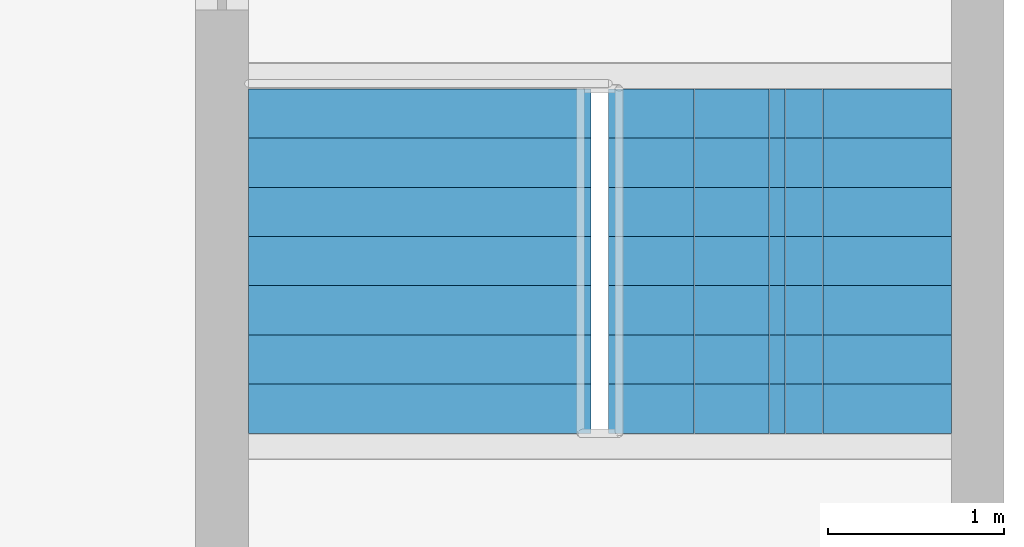
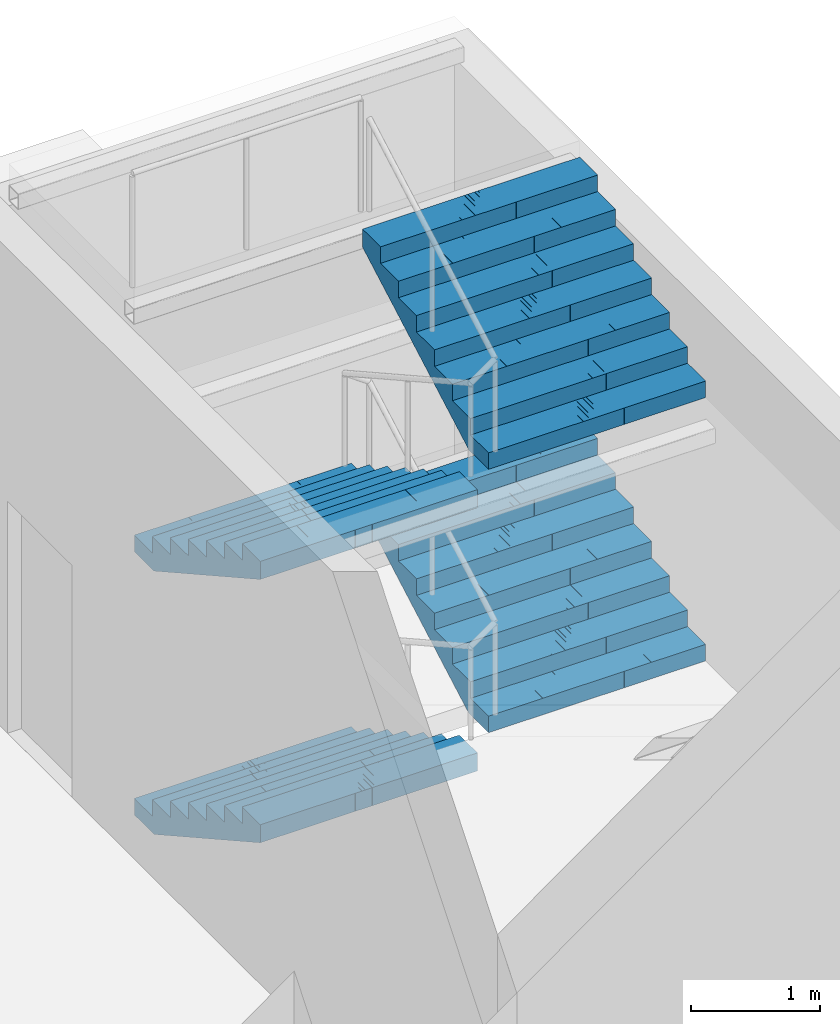
# One storey, part 15 of 20: 4 stair flights, 1 element without a shape of its own.
"""IFC4 building model written with IfcOpenShell, lengths in metres."""

from ifc_helpers import new_model, si_unit, direction, frame, origin, place, context, subcontext, project, spatial, polyline, outline, extrude, material, type_object, element, aggregate, save


model = new_model("IFC4")

# Units and contexts
model_context = context("Model", 3, precision=1e-05, world=origin(), true_north=direction((0.0, 1.0)))
body_context = subcontext(model_context, "Body", "Model", "MODEL_VIEW")
ifc_project = project(units=[si_unit("LENGTHUNIT", "METRE"), si_unit("AREAUNIT", "SQUARE_METRE"), si_unit("VOLUMEUNIT", "CUBIC_METRE"), si_unit("PLANEANGLEUNIT", "RADIAN"), si_unit("MASSUNIT", "GRAM", prefix="KILO")], contexts=[model_context])

# Site, building, storey
site_placement = place(None, origin())
site = spatial("IfcSite", under=ifc_project, at=site_placement, CompositionType="ELEMENT")
building_placement = place(site_placement, origin())
building = spatial("IfcBuilding", under=site, at=building_placement, Name="Mizan Broadcast Tower", CompositionType="ELEMENT")
storey_placement = place(building_placement, frame((0.0, 0.0, -5.0)))
storey = spatial("IfcBuildingStorey", under=building, at=storey_placement, Name="B1", CompositionType="ELEMENT", Elevation=-5.0)

# Stair, stair flights
ifc_material_1 = material(Name="Concrete C40/50", Category="concrete")
stair_type = type_object("IfcStairType", Name="EXIT STAIR", PredefinedType="HALF_TURN_STAIR", material=ifc_material_1)
stair_placement = place(storey_placement, origin())
stair = element("IfcStair", 1, at=stair_placement, inside=storey, type_object=stair_type, Name="Stair E B1", PredefinedType="HALF_TURN_STAIR")
ifc_material_2 = material(Name="Concrete C40/50", Category="concrete")
stair_flight_type = type_object("IfcStairFlightType", Name="EXIT STAIR FLIGHT", PredefinedType="STRAIGHT", material=ifc_material_2)
stair_flight_1_placement = place(storey_placement, frame((44.875, 39.949951171875, 0.0), z_axis=(0.0, 0.0, 1.0), x_axis=(0.0, -1.0, 0.0)))
stair_flight_1 = element("IfcStairFlight", 2, at=stair_flight_1_placement, type_object=stair_flight_type, Name="E flight 1", NumberOfRisers=8, NumberOfTreads=7, PredefinedType="STRAIGHT", RiserHeight=0.15625, TreadLength=0.28, context=body_context, shape_type="SweptSolid", body=[
    extrude(outline(polyline([(0.0, 0.0), (0.0, 0.15625), (0.280029296875, 0.15625), (0.280029296875, 0.3125), (0.56005859375, 0.3125), (0.56005859375, 0.46875), (0.840087890625, 0.46875), (0.840087890625, 0.625), (1.1201171875, 0.625), (1.1201171875, 0.78125), (1.39990234375, 0.78125), (1.39990234375, 0.9375), (1.679931640625, 0.9375), (1.679931640625, 1.09375), (1.9599609375, 1.09375), (1.9599609375, 1.25), (1.9599609375, 0.922119140625), (0.3076171875, 0.0), (0.0, 0.0)])), frame((0.0, 0.97509765625, 0.0), z_axis=(0.0, -1.0, 0.0), x_axis=(1.0, 0.0, 0.0)), (0.0, 0.0, 1.0), 0.4873046875),
    extrude(outline(polyline([(0.0, 0.0), (0.0, 0.15625), (0.280029296875, 0.15625), (0.280029296875, 0.3125), (0.56005859375, 0.3125), (0.56005859375, 0.46875), (0.840087890625, 0.46875), (0.840087890625, 0.625), (1.1201171875, 0.625), (1.1201171875, 0.78125), (1.39990234375, 0.78125), (1.39990234375, 0.9375), (1.679931640625, 0.9375), (1.679931640625, 1.09375), (1.9599609375, 1.09375), (1.9599609375, 1.25), (1.9599609375, 0.922119140625), (0.3076171875, 0.0), (0.0, 0.0)])), frame((0.0, 0.4873046875, 0.0), z_axis=(0.0, -1.0, 0.0), x_axis=(1.0, 0.0, 0.0)), (0.0, 0.0, 1.0), 0.2431640625),
    extrude(outline(polyline([(0.0, 0.0), (0.0, 0.15625), (0.280029296875, 0.15625), (0.280029296875, 0.3125), (0.56005859375, 0.3125), (0.56005859375, 0.46875), (0.840087890625, 0.46875), (0.840087890625, 0.625), (1.1201171875, 0.625), (1.1201171875, 0.78125), (1.39990234375, 0.78125), (1.39990234375, 0.9375), (1.679931640625, 0.9375), (1.679931640625, 1.09375), (1.9599609375, 1.09375), (1.9599609375, 1.25), (1.9599609375, 0.922119140625), (0.3076171875, 0.0), (0.0, 0.0)])), frame((0.0, 0.24365234375, 0.0), z_axis=(0.0, -1.0, 0.0), x_axis=(1.0, 0.0, 0.0)), (0.0, 0.0, 1.0), 0.121337890625),
    extrude(outline(polyline([(0.0, 0.0), (0.0, 0.15625), (0.280029296875, 0.15625), (0.280029296875, 0.3125), (0.56005859375, 0.3125), (0.56005859375, 0.46875), (0.840087890625, 0.46875), (0.840087890625, 0.625), (1.1201171875, 0.625), (1.1201171875, 0.78125), (1.39990234375, 0.78125), (1.39990234375, 0.9375), (1.679931640625, 0.9375), (1.679931640625, 1.09375), (1.9599609375, 1.09375), (1.9599609375, 1.25), (1.9599609375, 0.922119140625), (0.3076171875, 0.0), (0.0, 0.0)])), frame((0.0, 0.121826171875, 0.0), z_axis=(0.0, -1.0, 0.0), x_axis=(1.0, 0.0, 0.0)), (0.0, 0.0, 1.0), 0.060546875),
    extrude(outline(polyline([(0.0, 0.0), (0.0, 0.15625), (0.280029296875, 0.15625), (0.280029296875, 0.3125), (0.56005859375, 0.3125), (0.56005859375, 0.46875), (0.840087890625, 0.46875), (0.840087890625, 0.625), (1.1201171875, 0.625), (1.1201171875, 0.78125), (1.39990234375, 0.78125), (1.39990234375, 0.9375), (1.679931640625, 0.9375), (1.679931640625, 1.09375), (1.9599609375, 1.09375), (1.9599609375, 1.25), (1.9599609375, 0.922119140625), (0.3076171875, 0.0), (0.0, 0.0)])), frame((0.0, 0.060791015625, 0.0), z_axis=(0.0, -1.0, 0.0), x_axis=(1.0, 0.0, 0.0)), (0.0, 0.0, 1.0), 0.030029296875),
    extrude(outline(polyline([(0.0, 0.0), (0.0, 0.15625), (0.280029296875, 0.15625), (0.280029296875, 0.3125), (0.56005859375, 0.3125), (0.56005859375, 0.46875), (0.840087890625, 0.46875), (0.840087890625, 0.625), (1.1201171875, 0.625), (1.1201171875, 0.78125), (1.39990234375, 0.78125), (1.39990234375, 0.9375), (1.679931640625, 0.9375), (1.679931640625, 1.09375), (1.9599609375, 1.09375), (1.9599609375, 1.25), (1.9599609375, 0.922119140625), (0.3076171875, 0.0), (0.0, 0.0)])), frame((0.0, 0.0302734375, 0.0), z_axis=(0.0, -1.0, 0.0), x_axis=(1.0, 0.0, 0.0)), (0.0, 0.0, 1.0), 0.060302734375),
    extrude(outline(polyline([(0.0, 0.0), (0.0, 0.15625), (0.280029296875, 0.15625), (0.280029296875, 0.3125), (0.56005859375, 0.3125), (0.56005859375, 0.46875), (0.840087890625, 0.46875), (0.840087890625, 0.625), (1.1201171875, 0.625), (1.1201171875, 0.78125), (1.39990234375, 0.78125), (1.39990234375, 0.9375), (1.679931640625, 0.9375), (1.679931640625, 1.09375), (1.9599609375, 1.09375), (1.9599609375, 1.25), (1.9599609375, 0.922119140625), (0.3076171875, 0.0), (0.0, 0.0)])), frame((0.0, -0.030517578125, 0.0), z_axis=(0.0, -1.0, 0.0), x_axis=(1.0, 0.0, 0.0)), (0.0, 0.0, 1.0), 0.030029296875),
    extrude(outline(polyline([(0.0, 0.0), (0.0, 0.15625), (0.280029296875, 0.15625), (0.280029296875, 0.3125), (0.56005859375, 0.3125), (0.56005859375, 0.46875), (0.840087890625, 0.46875), (0.840087890625, 0.625), (1.1201171875, 0.625), (1.1201171875, 0.78125), (1.39990234375, 0.78125), (1.39990234375, 0.9375), (1.679931640625, 0.9375), (1.679931640625, 1.09375), (1.9599609375, 1.09375), (1.9599609375, 1.25), (1.9599609375, 0.922119140625), (0.3076171875, 0.0), (0.0, 0.0)])), frame((0.0, -0.06103515625, 0.0), z_axis=(0.0, -1.0, 0.0), x_axis=(1.0, 0.0, 0.0)), (0.0, 0.0, 1.0), 0.060546875),
    extrude(outline(polyline([(0.0, 0.0), (0.0, 0.15625), (0.280029296875, 0.15625), (0.280029296875, 0.3125), (0.56005859375, 0.3125), (0.56005859375, 0.46875), (0.840087890625, 0.46875), (0.840087890625, 0.625), (1.1201171875, 0.625), (1.1201171875, 0.78125), (1.39990234375, 0.78125), (1.39990234375, 0.9375), (1.679931640625, 0.9375), (1.679931640625, 1.09375), (1.9599609375, 1.09375), (1.9599609375, 1.25), (1.9599609375, 0.922119140625), (0.3076171875, 0.0), (0.0, 0.0)])), frame((0.0, -0.1220703125, 0.0), z_axis=(0.0, -1.0, 0.0), x_axis=(1.0, 0.0, 0.0)), (0.0, 0.0, 1.0), 0.121337890625),
    extrude(outline(polyline([(0.0, 0.0), (0.0, 0.15625), (0.280029296875, 0.15625), (0.280029296875, 0.3125), (0.56005859375, 0.3125), (0.56005859375, 0.46875), (0.840087890625, 0.46875), (0.840087890625, 0.625), (1.1201171875, 0.625), (1.1201171875, 0.78125), (1.39990234375, 0.78125), (1.39990234375, 0.9375), (1.679931640625, 0.9375), (1.679931640625, 1.09375), (1.9599609375, 1.09375), (1.9599609375, 1.25), (1.9599609375, 0.922119140625), (0.3076171875, 0.0), (0.0, 0.0)])), frame((0.0, -0.243896484375, 0.0), z_axis=(0.0, -1.0, 0.0), x_axis=(1.0, 0.0, 0.0)), (0.0, 0.0, 1.0), 0.2431640625),
    extrude(outline(polyline([(0.0, 0.0), (0.0, 0.15625), (0.280029296875, 0.15625), (0.280029296875, 0.3125), (0.56005859375, 0.3125), (0.56005859375, 0.46875), (0.840087890625, 0.46875), (0.840087890625, 0.625), (1.1201171875, 0.625), (1.1201171875, 0.78125), (1.39990234375, 0.78125), (1.39990234375, 0.9375), (1.679931640625, 0.9375), (1.679931640625, 1.09375), (1.9599609375, 1.09375), (1.9599609375, 1.25), (1.9599609375, 0.922119140625), (0.3076171875, 0.0), (0.0, 0.0)])), frame((0.0, -0.487548828125, 0.0), z_axis=(0.0, -1.0, 0.0), x_axis=(1.0, 0.0, 0.0)), (0.0, 0.0, 1.0), 0.4873046875),
])
stair_flight_2_placement = place(storey_placement, frame((46.925048828125, 37.989990234375, 1.25), z_axis=(0.0, 0.0, 1.0), x_axis=(0.0, 1.0, 0.0)))
stair_flight_2 = element("IfcStairFlight", 3, at=stair_flight_2_placement, type_object=stair_flight_type, Name="E flight 2", NumberOfRisers=8, NumberOfTreads=7, PredefinedType="STRAIGHT", RiserHeight=0.15625, TreadLength=0.28, context=body_context, shape_type="SweptSolid", body=[
    extrude(outline(polyline([(0.0, 0.0), (0.0, 0.15625), (0.280029296875, 0.15625), (0.280029296875, 0.3125), (0.56005859375, 0.3125), (0.56005859375, 0.46875), (0.840087890625, 0.46875), (0.840087890625, 0.625), (1.1201171875, 0.625), (1.1201171875, 0.78125), (1.39990234375, 0.78125), (1.39990234375, 0.9375), (1.679931640625, 0.9375), (1.679931640625, 1.09375), (1.9599609375, 1.09375), (1.9599609375, 1.25), (1.9599609375, 0.922119140625), (0.3076171875, 0.0), (0.0, 0.0)])), frame((0.0, 0.97509765625, 0.0), z_axis=(0.0, -1.0, 0.0), x_axis=(1.0, 0.0, 0.0)), (0.0, 0.0, 1.0), 0.4873046875),
    extrude(outline(polyline([(0.0, 0.0), (0.0, 0.15625), (0.280029296875, 0.15625), (0.280029296875, 0.3125), (0.56005859375, 0.3125), (0.56005859375, 0.46875), (0.840087890625, 0.46875), (0.840087890625, 0.625), (1.1201171875, 0.625), (1.1201171875, 0.78125), (1.39990234375, 0.78125), (1.39990234375, 0.9375), (1.679931640625, 0.9375), (1.679931640625, 1.09375), (1.9599609375, 1.09375), (1.9599609375, 1.25), (1.9599609375, 0.922119140625), (0.3076171875, 0.0), (0.0, 0.0)])), frame((0.0, 0.4873046875, 0.0), z_axis=(0.0, -1.0, 0.0), x_axis=(1.0, 0.0, 0.0)), (0.0, 0.0, 1.0), 0.2431640625),
    extrude(outline(polyline([(0.0, 0.0), (0.0, 0.15625), (0.280029296875, 0.15625), (0.280029296875, 0.3125), (0.56005859375, 0.3125), (0.56005859375, 0.46875), (0.840087890625, 0.46875), (0.840087890625, 0.625), (1.1201171875, 0.625), (1.1201171875, 0.78125), (1.39990234375, 0.78125), (1.39990234375, 0.9375), (1.679931640625, 0.9375), (1.679931640625, 1.09375), (1.9599609375, 1.09375), (1.9599609375, 1.25), (1.9599609375, 0.922119140625), (0.3076171875, 0.0), (0.0, 0.0)])), frame((0.0, 0.24365234375, 0.0), z_axis=(0.0, -1.0, 0.0), x_axis=(1.0, 0.0, 0.0)), (0.0, 0.0, 1.0), 0.121337890625),
    extrude(outline(polyline([(0.0, 0.0), (0.0, 0.15625), (0.280029296875, 0.15625), (0.280029296875, 0.3125), (0.56005859375, 0.3125), (0.56005859375, 0.46875), (0.840087890625, 0.46875), (0.840087890625, 0.625), (1.1201171875, 0.625), (1.1201171875, 0.78125), (1.39990234375, 0.78125), (1.39990234375, 0.9375), (1.679931640625, 0.9375), (1.679931640625, 1.09375), (1.9599609375, 1.09375), (1.9599609375, 1.25), (1.9599609375, 0.922119140625), (0.3076171875, 0.0), (0.0, 0.0)])), frame((0.0, 0.121826171875, 0.0), z_axis=(0.0, -1.0, 0.0), x_axis=(1.0, 0.0, 0.0)), (0.0, 0.0, 1.0), 0.060546875),
    extrude(outline(polyline([(0.0, 0.0), (0.0, 0.15625), (0.280029296875, 0.15625), (0.280029296875, 0.3125), (0.56005859375, 0.3125), (0.56005859375, 0.46875), (0.840087890625, 0.46875), (0.840087890625, 0.625), (1.1201171875, 0.625), (1.1201171875, 0.78125), (1.39990234375, 0.78125), (1.39990234375, 0.9375), (1.679931640625, 0.9375), (1.679931640625, 1.09375), (1.9599609375, 1.09375), (1.9599609375, 1.25), (1.9599609375, 0.922119140625), (0.3076171875, 0.0), (0.0, 0.0)])), frame((0.0, 0.060791015625, 0.0), z_axis=(0.0, -1.0, 0.0), x_axis=(1.0, 0.0, 0.0)), (0.0, 0.0, 1.0), 0.030029296875),
    extrude(outline(polyline([(0.0, 0.0), (0.0, 0.15625), (0.280029296875, 0.15625), (0.280029296875, 0.3125), (0.56005859375, 0.3125), (0.56005859375, 0.46875), (0.840087890625, 0.46875), (0.840087890625, 0.625), (1.1201171875, 0.625), (1.1201171875, 0.78125), (1.39990234375, 0.78125), (1.39990234375, 0.9375), (1.679931640625, 0.9375), (1.679931640625, 1.09375), (1.9599609375, 1.09375), (1.9599609375, 1.25), (1.9599609375, 0.922119140625), (0.3076171875, 0.0), (0.0, 0.0)])), frame((0.0, 0.0302734375, 0.0), z_axis=(0.0, -1.0, 0.0), x_axis=(1.0, 0.0, 0.0)), (0.0, 0.0, 1.0), 0.060302734375),
    extrude(outline(polyline([(0.0, 0.0), (0.0, 0.15625), (0.280029296875, 0.15625), (0.280029296875, 0.3125), (0.56005859375, 0.3125), (0.56005859375, 0.46875), (0.840087890625, 0.46875), (0.840087890625, 0.625), (1.1201171875, 0.625), (1.1201171875, 0.78125), (1.39990234375, 0.78125), (1.39990234375, 0.9375), (1.679931640625, 0.9375), (1.679931640625, 1.09375), (1.9599609375, 1.09375), (1.9599609375, 1.25), (1.9599609375, 0.922119140625), (0.3076171875, 0.0), (0.0, 0.0)])), frame((0.0, -0.030517578125, 0.0), z_axis=(0.0, -1.0, 0.0), x_axis=(1.0, 0.0, 0.0)), (0.0, 0.0, 1.0), 0.030029296875),
    extrude(outline(polyline([(0.0, 0.0), (0.0, 0.15625), (0.280029296875, 0.15625), (0.280029296875, 0.3125), (0.56005859375, 0.3125), (0.56005859375, 0.46875), (0.840087890625, 0.46875), (0.840087890625, 0.625), (1.1201171875, 0.625), (1.1201171875, 0.78125), (1.39990234375, 0.78125), (1.39990234375, 0.9375), (1.679931640625, 0.9375), (1.679931640625, 1.09375), (1.9599609375, 1.09375), (1.9599609375, 1.25), (1.9599609375, 0.922119140625), (0.3076171875, 0.0), (0.0, 0.0)])), frame((0.0, -0.06103515625, 0.0), z_axis=(0.0, -1.0, 0.0), x_axis=(1.0, 0.0, 0.0)), (0.0, 0.0, 1.0), 0.060546875),
    extrude(outline(polyline([(0.0, 0.0), (0.0, 0.15625), (0.280029296875, 0.15625), (0.280029296875, 0.3125), (0.56005859375, 0.3125), (0.56005859375, 0.46875), (0.840087890625, 0.46875), (0.840087890625, 0.625), (1.1201171875, 0.625), (1.1201171875, 0.78125), (1.39990234375, 0.78125), (1.39990234375, 0.9375), (1.679931640625, 0.9375), (1.679931640625, 1.09375), (1.9599609375, 1.09375), (1.9599609375, 1.25), (1.9599609375, 0.922119140625), (0.3076171875, 0.0), (0.0, 0.0)])), frame((0.0, -0.1220703125, 0.0), z_axis=(0.0, -1.0, 0.0), x_axis=(1.0, 0.0, 0.0)), (0.0, 0.0, 1.0), 0.121337890625),
    extrude(outline(polyline([(0.0, 0.0), (0.0, 0.15625), (0.280029296875, 0.15625), (0.280029296875, 0.3125), (0.56005859375, 0.3125), (0.56005859375, 0.46875), (0.840087890625, 0.46875), (0.840087890625, 0.625), (1.1201171875, 0.625), (1.1201171875, 0.78125), (1.39990234375, 0.78125), (1.39990234375, 0.9375), (1.679931640625, 0.9375), (1.679931640625, 1.09375), (1.9599609375, 1.09375), (1.9599609375, 1.25), (1.9599609375, 0.922119140625), (0.3076171875, 0.0), (0.0, 0.0)])), frame((0.0, -0.243896484375, 0.0), z_axis=(0.0, -1.0, 0.0), x_axis=(1.0, 0.0, 0.0)), (0.0, 0.0, 1.0), 0.2431640625),
    extrude(outline(polyline([(0.0, 0.0), (0.0, 0.15625), (0.280029296875, 0.15625), (0.280029296875, 0.3125), (0.56005859375, 0.3125), (0.56005859375, 0.46875), (0.840087890625, 0.46875), (0.840087890625, 0.625), (1.1201171875, 0.625), (1.1201171875, 0.78125), (1.39990234375, 0.78125), (1.39990234375, 0.9375), (1.679931640625, 0.9375), (1.679931640625, 1.09375), (1.9599609375, 1.09375), (1.9599609375, 1.25), (1.9599609375, 0.922119140625), (0.3076171875, 0.0), (0.0, 0.0)])), frame((0.0, -0.487548828125, 0.0), z_axis=(0.0, -1.0, 0.0), x_axis=(1.0, 0.0, 0.0)), (0.0, 0.0, 1.0), 0.4873046875),
])
stair_flight_3_placement = place(storey_placement, frame((44.875, 39.949951171875, 2.5), z_axis=(0.0, 0.0, 1.0), x_axis=(0.0, -1.0, 0.0)))
stair_flight_3 = element("IfcStairFlight", 4, at=stair_flight_3_placement, type_object=stair_flight_type, Name="E flight 3", NumberOfRisers=8, NumberOfTreads=7, PredefinedType="STRAIGHT", RiserHeight=0.15625, TreadLength=0.28, context=body_context, shape_type="SweptSolid", body=[
    extrude(outline(polyline([(0.0, 0.0), (0.0, 0.15625), (0.280029296875, 0.15625), (0.280029296875, 0.3125), (0.56005859375, 0.3125), (0.56005859375, 0.46875), (0.840087890625, 0.46875), (0.840087890625, 0.625), (1.1201171875, 0.625), (1.1201171875, 0.78125), (1.39990234375, 0.78125), (1.39990234375, 0.9375), (1.679931640625, 0.9375), (1.679931640625, 1.09375), (1.9599609375, 1.09375), (1.9599609375, 1.25), (1.9599609375, 0.922119140625), (0.3076171875, 0.0), (0.0, 0.0)])), frame((0.0, 0.97509765625, 0.0), z_axis=(0.0, -1.0, 0.0), x_axis=(1.0, 0.0, 0.0)), (0.0, 0.0, 1.0), 0.4873046875),
    extrude(outline(polyline([(0.0, 0.0), (0.0, 0.15625), (0.280029296875, 0.15625), (0.280029296875, 0.3125), (0.56005859375, 0.3125), (0.56005859375, 0.46875), (0.840087890625, 0.46875), (0.840087890625, 0.625), (1.1201171875, 0.625), (1.1201171875, 0.78125), (1.39990234375, 0.78125), (1.39990234375, 0.9375), (1.679931640625, 0.9375), (1.679931640625, 1.09375), (1.9599609375, 1.09375), (1.9599609375, 1.25), (1.9599609375, 0.922119140625), (0.3076171875, 0.0), (0.0, 0.0)])), frame((0.0, 0.4873046875, 0.0), z_axis=(0.0, -1.0, 0.0), x_axis=(1.0, 0.0, 0.0)), (0.0, 0.0, 1.0), 0.2431640625),
    extrude(outline(polyline([(0.0, 0.0), (0.0, 0.15625), (0.280029296875, 0.15625), (0.280029296875, 0.3125), (0.56005859375, 0.3125), (0.56005859375, 0.46875), (0.840087890625, 0.46875), (0.840087890625, 0.625), (1.1201171875, 0.625), (1.1201171875, 0.78125), (1.39990234375, 0.78125), (1.39990234375, 0.9375), (1.679931640625, 0.9375), (1.679931640625, 1.09375), (1.9599609375, 1.09375), (1.9599609375, 1.25), (1.9599609375, 0.922119140625), (0.3076171875, 0.0), (0.0, 0.0)])), frame((0.0, 0.24365234375, 0.0), z_axis=(0.0, -1.0, 0.0), x_axis=(1.0, 0.0, 0.0)), (0.0, 0.0, 1.0), 0.121337890625),
    extrude(outline(polyline([(0.0, 0.0), (0.0, 0.15625), (0.280029296875, 0.15625), (0.280029296875, 0.3125), (0.56005859375, 0.3125), (0.56005859375, 0.46875), (0.840087890625, 0.46875), (0.840087890625, 0.625), (1.1201171875, 0.625), (1.1201171875, 0.78125), (1.39990234375, 0.78125), (1.39990234375, 0.9375), (1.679931640625, 0.9375), (1.679931640625, 1.09375), (1.9599609375, 1.09375), (1.9599609375, 1.25), (1.9599609375, 0.922119140625), (0.3076171875, 0.0), (0.0, 0.0)])), frame((0.0, 0.121826171875, 0.0), z_axis=(0.0, -1.0, 0.0), x_axis=(1.0, 0.0, 0.0)), (0.0, 0.0, 1.0), 0.060546875),
    extrude(outline(polyline([(0.0, 0.0), (0.0, 0.15625), (0.280029296875, 0.15625), (0.280029296875, 0.3125), (0.56005859375, 0.3125), (0.56005859375, 0.46875), (0.840087890625, 0.46875), (0.840087890625, 0.625), (1.1201171875, 0.625), (1.1201171875, 0.78125), (1.39990234375, 0.78125), (1.39990234375, 0.9375), (1.679931640625, 0.9375), (1.679931640625, 1.09375), (1.9599609375, 1.09375), (1.9599609375, 1.25), (1.9599609375, 0.922119140625), (0.3076171875, 0.0), (0.0, 0.0)])), frame((0.0, 0.060791015625, 0.0), z_axis=(0.0, -1.0, 0.0), x_axis=(1.0, 0.0, 0.0)), (0.0, 0.0, 1.0), 0.030029296875),
    extrude(outline(polyline([(0.0, 0.0), (0.0, 0.15625), (0.280029296875, 0.15625), (0.280029296875, 0.3125), (0.56005859375, 0.3125), (0.56005859375, 0.46875), (0.840087890625, 0.46875), (0.840087890625, 0.625), (1.1201171875, 0.625), (1.1201171875, 0.78125), (1.39990234375, 0.78125), (1.39990234375, 0.9375), (1.679931640625, 0.9375), (1.679931640625, 1.09375), (1.9599609375, 1.09375), (1.9599609375, 1.25), (1.9599609375, 0.922119140625), (0.3076171875, 0.0), (0.0, 0.0)])), frame((0.0, 0.0302734375, 0.0), z_axis=(0.0, -1.0, 0.0), x_axis=(1.0, 0.0, 0.0)), (0.0, 0.0, 1.0), 0.060302734375),
    extrude(outline(polyline([(0.0, 0.0), (0.0, 0.15625), (0.280029296875, 0.15625), (0.280029296875, 0.3125), (0.56005859375, 0.3125), (0.56005859375, 0.46875), (0.840087890625, 0.46875), (0.840087890625, 0.625), (1.1201171875, 0.625), (1.1201171875, 0.78125), (1.39990234375, 0.78125), (1.39990234375, 0.9375), (1.679931640625, 0.9375), (1.679931640625, 1.09375), (1.9599609375, 1.09375), (1.9599609375, 1.25), (1.9599609375, 0.922119140625), (0.3076171875, 0.0), (0.0, 0.0)])), frame((0.0, -0.030517578125, 0.0), z_axis=(0.0, -1.0, 0.0), x_axis=(1.0, 0.0, 0.0)), (0.0, 0.0, 1.0), 0.030029296875),
    extrude(outline(polyline([(0.0, 0.0), (0.0, 0.15625), (0.280029296875, 0.15625), (0.280029296875, 0.3125), (0.56005859375, 0.3125), (0.56005859375, 0.46875), (0.840087890625, 0.46875), (0.840087890625, 0.625), (1.1201171875, 0.625), (1.1201171875, 0.78125), (1.39990234375, 0.78125), (1.39990234375, 0.9375), (1.679931640625, 0.9375), (1.679931640625, 1.09375), (1.9599609375, 1.09375), (1.9599609375, 1.25), (1.9599609375, 0.922119140625), (0.3076171875, 0.0), (0.0, 0.0)])), frame((0.0, -0.06103515625, 0.0), z_axis=(0.0, -1.0, 0.0), x_axis=(1.0, 0.0, 0.0)), (0.0, 0.0, 1.0), 0.060546875),
    extrude(outline(polyline([(0.0, 0.0), (0.0, 0.15625), (0.280029296875, 0.15625), (0.280029296875, 0.3125), (0.56005859375, 0.3125), (0.56005859375, 0.46875), (0.840087890625, 0.46875), (0.840087890625, 0.625), (1.1201171875, 0.625), (1.1201171875, 0.78125), (1.39990234375, 0.78125), (1.39990234375, 0.9375), (1.679931640625, 0.9375), (1.679931640625, 1.09375), (1.9599609375, 1.09375), (1.9599609375, 1.25), (1.9599609375, 0.922119140625), (0.3076171875, 0.0), (0.0, 0.0)])), frame((0.0, -0.1220703125, 0.0), z_axis=(0.0, -1.0, 0.0), x_axis=(1.0, 0.0, 0.0)), (0.0, 0.0, 1.0), 0.121337890625),
    extrude(outline(polyline([(0.0, 0.0), (0.0, 0.15625), (0.280029296875, 0.15625), (0.280029296875, 0.3125), (0.56005859375, 0.3125), (0.56005859375, 0.46875), (0.840087890625, 0.46875), (0.840087890625, 0.625), (1.1201171875, 0.625), (1.1201171875, 0.78125), (1.39990234375, 0.78125), (1.39990234375, 0.9375), (1.679931640625, 0.9375), (1.679931640625, 1.09375), (1.9599609375, 1.09375), (1.9599609375, 1.25), (1.9599609375, 0.922119140625), (0.3076171875, 0.0), (0.0, 0.0)])), frame((0.0, -0.243896484375, 0.0), z_axis=(0.0, -1.0, 0.0), x_axis=(1.0, 0.0, 0.0)), (0.0, 0.0, 1.0), 0.2431640625),
    extrude(outline(polyline([(0.0, 0.0), (0.0, 0.15625), (0.280029296875, 0.15625), (0.280029296875, 0.3125), (0.56005859375, 0.3125), (0.56005859375, 0.46875), (0.840087890625, 0.46875), (0.840087890625, 0.625), (1.1201171875, 0.625), (1.1201171875, 0.78125), (1.39990234375, 0.78125), (1.39990234375, 0.9375), (1.679931640625, 0.9375), (1.679931640625, 1.09375), (1.9599609375, 1.09375), (1.9599609375, 1.25), (1.9599609375, 0.922119140625), (0.3076171875, 0.0), (0.0, 0.0)])), frame((0.0, -0.487548828125, 0.0), z_axis=(0.0, -1.0, 0.0), x_axis=(1.0, 0.0, 0.0)), (0.0, 0.0, 1.0), 0.4873046875),
])
stair_flight_4_placement = place(storey_placement, frame((46.925048828125, 37.989990234375, 3.75), z_axis=(0.0, 0.0, 1.0), x_axis=(0.0, 1.0, 0.0)))
stair_flight_4 = element("IfcStairFlight", 5, at=stair_flight_4_placement, type_object=stair_flight_type, Name="E flight 4", NumberOfRisers=8, NumberOfTreads=7, PredefinedType="STRAIGHT", RiserHeight=0.15625, TreadLength=0.28, context=body_context, shape_type="SweptSolid", body=[
    extrude(outline(polyline([(0.0, 0.0), (0.0, 0.15625), (0.280029296875, 0.15625), (0.280029296875, 0.3125), (0.56005859375, 0.3125), (0.56005859375, 0.46875), (0.840087890625, 0.46875), (0.840087890625, 0.625), (1.1201171875, 0.625), (1.1201171875, 0.78125), (1.39990234375, 0.78125), (1.39990234375, 0.9375), (1.679931640625, 0.9375), (1.679931640625, 1.09375), (1.9599609375, 1.09375), (1.9599609375, 1.25), (1.9599609375, 0.922119140625), (0.3076171875, 0.0), (0.0, 0.0)])), frame((0.0, 0.97509765625, 0.0), z_axis=(0.0, -1.0, 0.0), x_axis=(1.0, 0.0, 0.0)), (0.0, 0.0, 1.0), 0.4873046875),
    extrude(outline(polyline([(0.0, 0.0), (0.0, 0.15625), (0.280029296875, 0.15625), (0.280029296875, 0.3125), (0.56005859375, 0.3125), (0.56005859375, 0.46875), (0.840087890625, 0.46875), (0.840087890625, 0.625), (1.1201171875, 0.625), (1.1201171875, 0.78125), (1.39990234375, 0.78125), (1.39990234375, 0.9375), (1.679931640625, 0.9375), (1.679931640625, 1.09375), (1.9599609375, 1.09375), (1.9599609375, 1.25), (1.9599609375, 0.922119140625), (0.3076171875, 0.0), (0.0, 0.0)])), frame((0.0, 0.4873046875, 0.0), z_axis=(0.0, -1.0, 0.0), x_axis=(1.0, 0.0, 0.0)), (0.0, 0.0, 1.0), 0.2431640625),
    extrude(outline(polyline([(0.0, 0.0), (0.0, 0.15625), (0.280029296875, 0.15625), (0.280029296875, 0.3125), (0.56005859375, 0.3125), (0.56005859375, 0.46875), (0.840087890625, 0.46875), (0.840087890625, 0.625), (1.1201171875, 0.625), (1.1201171875, 0.78125), (1.39990234375, 0.78125), (1.39990234375, 0.9375), (1.679931640625, 0.9375), (1.679931640625, 1.09375), (1.9599609375, 1.09375), (1.9599609375, 1.25), (1.9599609375, 0.922119140625), (0.3076171875, 0.0), (0.0, 0.0)])), frame((0.0, 0.24365234375, 0.0), z_axis=(0.0, -1.0, 0.0), x_axis=(1.0, 0.0, 0.0)), (0.0, 0.0, 1.0), 0.121337890625),
    extrude(outline(polyline([(0.0, 0.0), (0.0, 0.15625), (0.280029296875, 0.15625), (0.280029296875, 0.3125), (0.56005859375, 0.3125), (0.56005859375, 0.46875), (0.840087890625, 0.46875), (0.840087890625, 0.625), (1.1201171875, 0.625), (1.1201171875, 0.78125), (1.39990234375, 0.78125), (1.39990234375, 0.9375), (1.679931640625, 0.9375), (1.679931640625, 1.09375), (1.9599609375, 1.09375), (1.9599609375, 1.25), (1.9599609375, 0.922119140625), (0.3076171875, 0.0), (0.0, 0.0)])), frame((0.0, 0.121826171875, 0.0), z_axis=(0.0, -1.0, 0.0), x_axis=(1.0, 0.0, 0.0)), (0.0, 0.0, 1.0), 0.060546875),
    extrude(outline(polyline([(0.0, 0.0), (0.0, 0.15625), (0.280029296875, 0.15625), (0.280029296875, 0.3125), (0.56005859375, 0.3125), (0.56005859375, 0.46875), (0.840087890625, 0.46875), (0.840087890625, 0.625), (1.1201171875, 0.625), (1.1201171875, 0.78125), (1.39990234375, 0.78125), (1.39990234375, 0.9375), (1.679931640625, 0.9375), (1.679931640625, 1.09375), (1.9599609375, 1.09375), (1.9599609375, 1.25), (1.9599609375, 0.922119140625), (0.3076171875, 0.0), (0.0, 0.0)])), frame((0.0, 0.060791015625, 0.0), z_axis=(0.0, -1.0, 0.0), x_axis=(1.0, 0.0, 0.0)), (0.0, 0.0, 1.0), 0.030029296875),
    extrude(outline(polyline([(0.0, 0.0), (0.0, 0.15625), (0.280029296875, 0.15625), (0.280029296875, 0.3125), (0.56005859375, 0.3125), (0.56005859375, 0.46875), (0.840087890625, 0.46875), (0.840087890625, 0.625), (1.1201171875, 0.625), (1.1201171875, 0.78125), (1.39990234375, 0.78125), (1.39990234375, 0.9375), (1.679931640625, 0.9375), (1.679931640625, 1.09375), (1.9599609375, 1.09375), (1.9599609375, 1.25), (1.9599609375, 0.922119140625), (0.3076171875, 0.0), (0.0, 0.0)])), frame((0.0, 0.0302734375, 0.0), z_axis=(0.0, -1.0, 0.0), x_axis=(1.0, 0.0, 0.0)), (0.0, 0.0, 1.0), 0.060302734375),
    extrude(outline(polyline([(0.0, 0.0), (0.0, 0.15625), (0.280029296875, 0.15625), (0.280029296875, 0.3125), (0.56005859375, 0.3125), (0.56005859375, 0.46875), (0.840087890625, 0.46875), (0.840087890625, 0.625), (1.1201171875, 0.625), (1.1201171875, 0.78125), (1.39990234375, 0.78125), (1.39990234375, 0.9375), (1.679931640625, 0.9375), (1.679931640625, 1.09375), (1.9599609375, 1.09375), (1.9599609375, 1.25), (1.9599609375, 0.922119140625), (0.3076171875, 0.0), (0.0, 0.0)])), frame((0.0, -0.030517578125, 0.0), z_axis=(0.0, -1.0, 0.0), x_axis=(1.0, 0.0, 0.0)), (0.0, 0.0, 1.0), 0.030029296875),
    extrude(outline(polyline([(0.0, 0.0), (0.0, 0.15625), (0.280029296875, 0.15625), (0.280029296875, 0.3125), (0.56005859375, 0.3125), (0.56005859375, 0.46875), (0.840087890625, 0.46875), (0.840087890625, 0.625), (1.1201171875, 0.625), (1.1201171875, 0.78125), (1.39990234375, 0.78125), (1.39990234375, 0.9375), (1.679931640625, 0.9375), (1.679931640625, 1.09375), (1.9599609375, 1.09375), (1.9599609375, 1.25), (1.9599609375, 0.922119140625), (0.3076171875, 0.0), (0.0, 0.0)])), frame((0.0, -0.06103515625, 0.0), z_axis=(0.0, -1.0, 0.0), x_axis=(1.0, 0.0, 0.0)), (0.0, 0.0, 1.0), 0.060546875),
    extrude(outline(polyline([(0.0, 0.0), (0.0, 0.15625), (0.280029296875, 0.15625), (0.280029296875, 0.3125), (0.56005859375, 0.3125), (0.56005859375, 0.46875), (0.840087890625, 0.46875), (0.840087890625, 0.625), (1.1201171875, 0.625), (1.1201171875, 0.78125), (1.39990234375, 0.78125), (1.39990234375, 0.9375), (1.679931640625, 0.9375), (1.679931640625, 1.09375), (1.9599609375, 1.09375), (1.9599609375, 1.25), (1.9599609375, 0.922119140625), (0.3076171875, 0.0), (0.0, 0.0)])), frame((0.0, -0.1220703125, 0.0), z_axis=(0.0, -1.0, 0.0), x_axis=(1.0, 0.0, 0.0)), (0.0, 0.0, 1.0), 0.121337890625),
    extrude(outline(polyline([(0.0, 0.0), (0.0, 0.15625), (0.280029296875, 0.15625), (0.280029296875, 0.3125), (0.56005859375, 0.3125), (0.56005859375, 0.46875), (0.840087890625, 0.46875), (0.840087890625, 0.625), (1.1201171875, 0.625), (1.1201171875, 0.78125), (1.39990234375, 0.78125), (1.39990234375, 0.9375), (1.679931640625, 0.9375), (1.679931640625, 1.09375), (1.9599609375, 1.09375), (1.9599609375, 1.25), (1.9599609375, 0.922119140625), (0.3076171875, 0.0), (0.0, 0.0)])), frame((0.0, -0.243896484375, 0.0), z_axis=(0.0, -1.0, 0.0), x_axis=(1.0, 0.0, 0.0)), (0.0, 0.0, 1.0), 0.2431640625),
    extrude(outline(polyline([(0.0, 0.0), (0.0, 0.15625), (0.280029296875, 0.15625), (0.280029296875, 0.3125), (0.56005859375, 0.3125), (0.56005859375, 0.46875), (0.840087890625, 0.46875), (0.840087890625, 0.625), (1.1201171875, 0.625), (1.1201171875, 0.78125), (1.39990234375, 0.78125), (1.39990234375, 0.9375), (1.679931640625, 0.9375), (1.679931640625, 1.09375), (1.9599609375, 1.09375), (1.9599609375, 1.25), (1.9599609375, 0.922119140625), (0.3076171875, 0.0), (0.0, 0.0)])), frame((0.0, -0.487548828125, 0.0), z_axis=(0.0, -1.0, 0.0), x_axis=(1.0, 0.0, 0.0)), (0.0, 0.0, 1.0), 0.4873046875),
])
aggregate(stair, [stair_flight_1, stair_flight_2, stair_flight_3, stair_flight_4])

save(model, "model.ifc")
